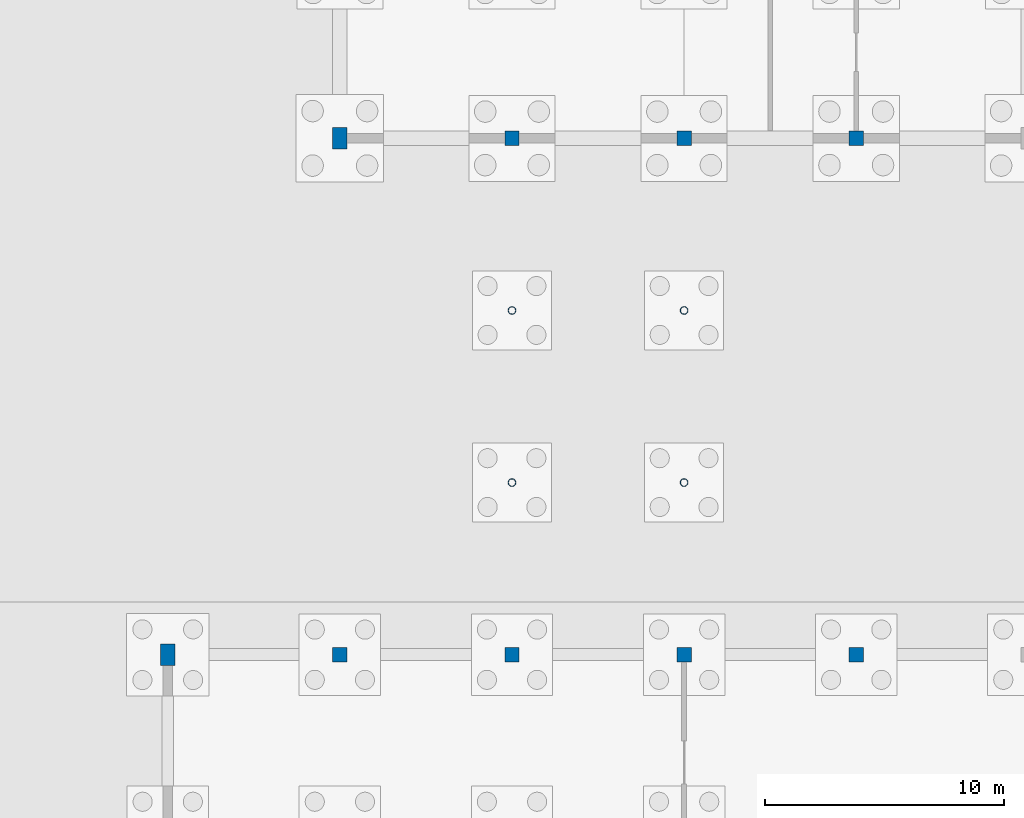
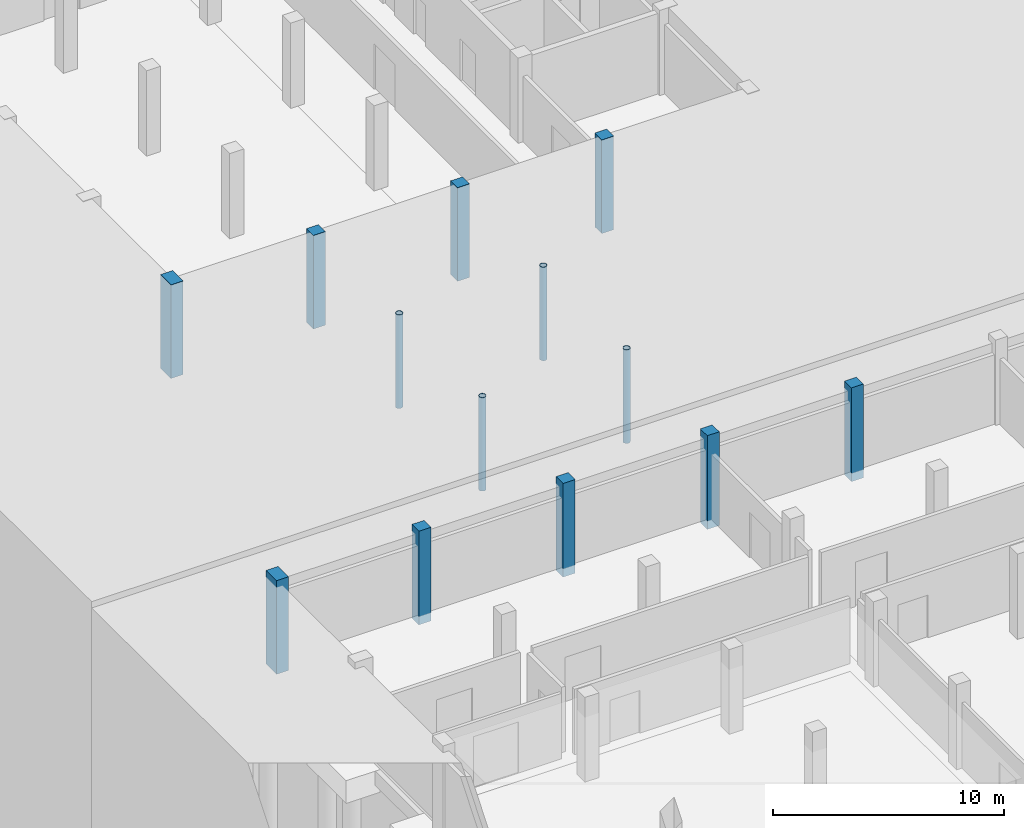
# One storey, part 10 of 51: 13 columns.
"""IFC4 building model written with IfcOpenShell, lengths in metres."""

from ifc_helpers import new_model, si_unit, direction, frame, origin, origin_2d, place, context, subcontext, project, spatial, rectangle, hollow_circle, extrude, material, material_profile, profile_set, type_object, element, save


model = new_model("IFC4")

# Units and contexts
model_context = context("Model", 3, precision=1e-05, world=origin(), true_north=direction((0.0, 1.0)))
body_context = subcontext(model_context, "Body", "Model", "MODEL_VIEW")
ifc_project = project(units=[si_unit("LENGTHUNIT", "METRE"), si_unit("AREAUNIT", "SQUARE_METRE"), si_unit("VOLUMEUNIT", "CUBIC_METRE"), si_unit("PLANEANGLEUNIT", "RADIAN"), si_unit("MASSUNIT", "GRAM", prefix="KILO")], contexts=[model_context])

# Site, building, storey
site_placement = place(None, origin())
site = spatial("IfcSite", under=ifc_project, at=site_placement, CompositionType="ELEMENT")
building_placement = place(site_placement, origin())
building = spatial("IfcBuilding", under=site, at=building_placement, Name="Zlatovets Crest Museum", CompositionType="ELEMENT")
storey_placement = place(building_placement, frame((0.0, 0.0, -4.5)))
storey = spatial("IfcBuildingStorey", under=building, at=storey_placement, Name="B1", CompositionType="ELEMENT", Elevation=-4.5)

# Columns
ifc_material_1 = material(Name="Concrete C35/45", Category="concrete")
ifc_material_profile_1 = material_profile(ifc_material_1, rectangle(XDim=0.60009765625, YDim=0.60009765625, at=origin_2d()), Name="RC 600x600")
ifc_profile_set_1 = profile_set([ifc_material_profile_1], Name="Concrete C35/45")
column_type_1 = type_object("IfcColumnType", Name="Col_C-02", PredefinedType="COLUMN", material=ifc_profile_set_1)
for number, where, z_axis, x_axis, name in (
    (1, (7.199951171875, 28.800048828125, -0.449951171875), (0.0, 0.0, 1.0), (0.0, 1.0, 0.0), "V3 B1 Column (7.2, 28.8)"),
    (2, (14.39990234375, 28.800048828125, -0.449951171875), (0.0, 0.0, 1.0), (1.0, 0.0, 0.0), "V3 B1 Column (14.4, 28.8)"),
    (3, (21.60009765625, 28.800048828125, -0.449951171875), (0.0, 0.0, 1.0), (0.0, 1.0, 0.0), "V3 B1 Column (21.6, 28.8)"),
    (4, (28.800048828125, 28.800048828125, -0.449951171875), (0.0, 0.0, 1.0), (1.0, 0.0, 0.0), "V3 B1 Column (28.8, 28.8)"),
    (5, (14.39990234375, 50.39990234375, -0.449951171875), (0.0, 0.0, 1.0), (0.0, 1.0, 0.0), "V4 B1 Column (14.4, 50.4)"),
    (6, (21.60009765625, 50.39990234375, -0.449951171875), (0.0, 0.0, 1.0), (1.0, 0.0, 0.0), "V4 B1 Column (21.6, 50.4)"),
    (7, (28.800048828125, 50.39990234375, -0.449951171875), (0.0, 0.0, 1.0), (0.0, 1.0, 0.0), "V4 B1 Column (28.8, 50.4)"),
):
    element("IfcColumn", number, at=place(storey_placement, frame(where, z_axis=z_axis, x_axis=x_axis)), inside=storey, type_object=column_type_1, Name=name, PredefinedType="COLUMN", context=body_context, shape_type="SweptSolid", body=[
        extrude(rectangle(XDim=0.60009765625, YDim=0.60009765625, at=origin_2d()), origin(), (0.0, 0.0, 1.0), 4.949951171875),
    ])
ifc_material_profile_2 = material_profile(ifc_material_1, rectangle(XDim=0.60009765625, YDim=0.89990234375, at=origin_2d()), Name="RC 600x900")
ifc_profile_set_2 = profile_set([ifc_material_profile_2], Name="Concrete C35/45")
column_type_2 = type_object("IfcColumnType", Name="Col_C-03", PredefinedType="PILASTER", material=ifc_profile_set_2)
for number, where, z_axis, x_axis, name in (
    (8, (0.0, 28.800048828125, -0.449951171875), (0.0, 0.0, 1.0), (1.0, 0.0, 0.0), "V3 B1 Column (0.0, 28.8)"),
    (9, (7.199951171875, 50.39990234375, -0.449951171875), (0.0, 0.0, 1.0), (1.0, 0.0, 0.0), "V4 B1 Column (7.2, 50.4)"),
):
    element("IfcColumn", number, at=place(storey_placement, frame(where, z_axis=z_axis, x_axis=x_axis)), inside=storey, type_object=column_type_2, Name=name, PredefinedType="PILASTER", context=body_context, shape_type="SweptSolid", body=[
        extrude(rectangle(XDim=0.60009765625, YDim=0.89990234375, at=origin_2d()), origin(), (0.0, 0.0, 1.0), 4.949951171875),
    ])
ifc_material_2 = material(Name="Structural steel S355J2", Category="steel")
ifc_material_profile_3 = material_profile(ifc_material_2, hollow_circle(Radius=0.161865234375, WallThickness=0.012451171875, at=origin_2d()), Name="CHS 323.9x12.5")
ifc_profile_set_3 = profile_set([ifc_material_profile_3], Name="Structural steel S355J2")
column_type_3 = type_object("IfcColumnType", Name="Col_C-13", PredefinedType="COLUMN", material=ifc_profile_set_3)
for number, where, z_axis, x_axis, name in (
    (10, (14.39990234375, 36.0, -0.449951171875), (0.0, 0.0, 1.0), (1.0, 0.0, 0.0), "West Hillside Glazed Link Bridge Portal Column"),
    (11, (21.60009765625, 36.0, -0.449951171875), (0.0, 0.0, 1.0), (1.0, 0.0, 0.0), "West Hillside Glazed Link Bridge Portal Column"),
    (12, (14.39990234375, 43.199951171875, -0.449951171875), (0.0, 0.0, 1.0), (1.0, 0.0, 0.0), "West Hillside Glazed Link Bridge Portal Column"),
    (13, (21.60009765625, 43.199951171875, -0.449951171875), (0.0, 0.0, 1.0), (1.0, 0.0, 0.0), "West Hillside Glazed Link Bridge Portal Column"),
):
    element("IfcColumn", number, at=place(storey_placement, frame(where, z_axis=z_axis, x_axis=x_axis)), inside=storey, type_object=column_type_3, Name=name, PredefinedType="COLUMN", context=body_context, shape_type="SweptSolid", body=[
        extrude(hollow_circle(Radius=0.161865234375, WallThickness=0.012451171875, at=origin_2d()), origin(), (0.0, 0.0, 1.0), 4.949951171875),
    ])

save(model, "model.ifc")
